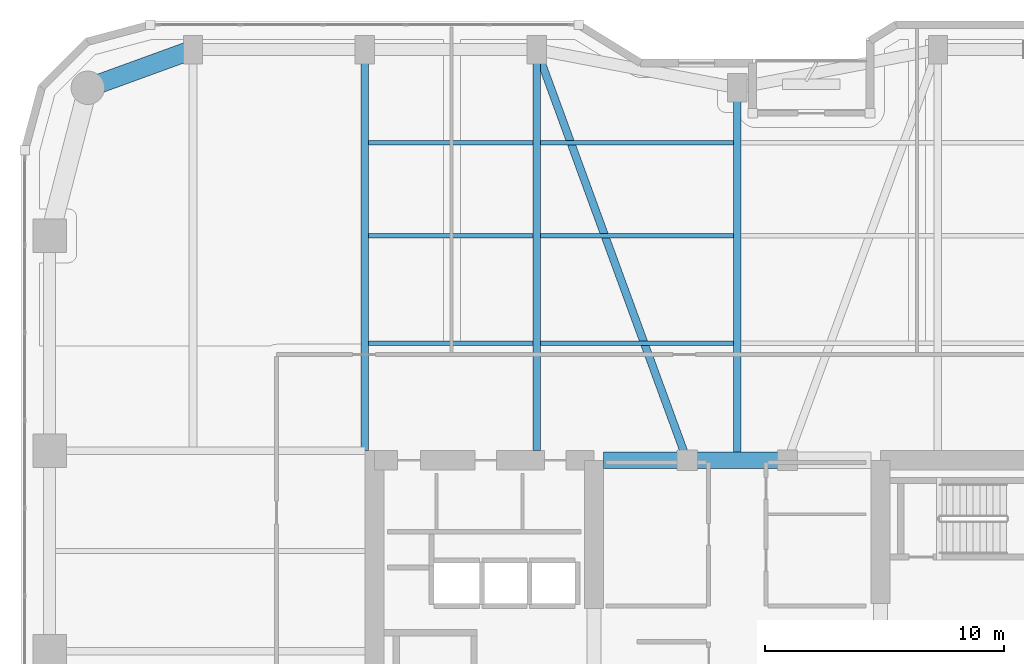
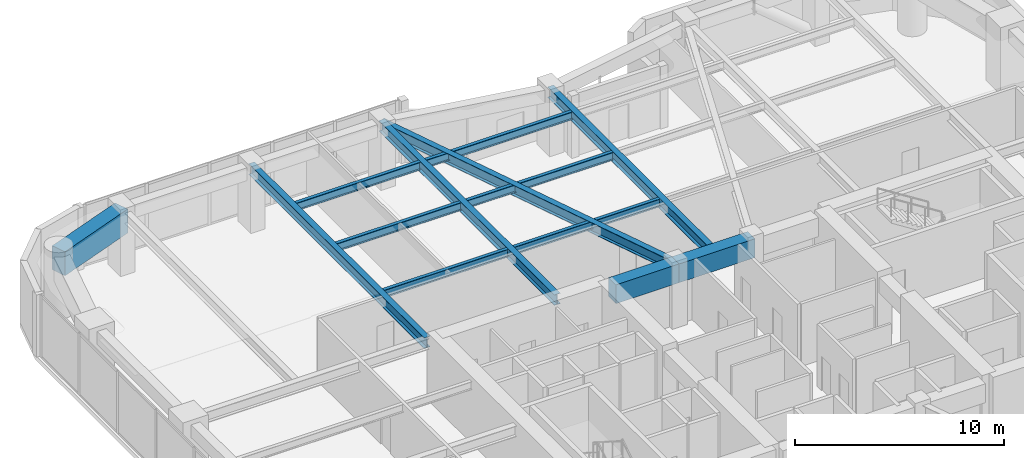
# One storey, part 12 of 24: 13 beams.
"""IFC4 building model written with IfcOpenShell, lengths in metres."""

from ifc_helpers import new_model, si_unit, direction, frame, origin, origin_2d, place, context, subcontext, project, spatial, rectangle, i_section, extrude, material, material_profile, profile_set, type_object, element, save


model = new_model("IFC4")

# Units and contexts
model_context = context("Model", 3, precision=1e-05, world=origin(), true_north=direction((0.0, 1.0)))
body_context = subcontext(model_context, "Body", "Model", "MODEL_VIEW")
ifc_project = project(units=[si_unit("LENGTHUNIT", "METRE"), si_unit("AREAUNIT", "SQUARE_METRE"), si_unit("VOLUMEUNIT", "CUBIC_METRE"), si_unit("PLANEANGLEUNIT", "RADIAN"), si_unit("MASSUNIT", "GRAM", prefix="KILO")], contexts=[model_context])

# Site, building, storey
site_placement = place(None, origin())
site = spatial("IfcSite", under=ifc_project, at=site_placement, CompositionType="ELEMENT")
building_placement = place(site_placement, origin())
building = spatial("IfcBuilding", under=site, at=building_placement, Name="Kiyonajd Concourse Tower", CompositionType="ELEMENT")
storey_placement = place(building_placement, frame((0.0, 0.0, 109.199951171875)))
storey = spatial("IfcBuildingStorey", under=building, at=storey_placement, Name="L28", CompositionType="ELEMENT", Elevation=109.199951171875)

# Beams
ifc_material_1 = material(Name="Concrete C70/85", Category="concrete")
ifc_material_profile_1 = material_profile(ifc_material_1, rectangle(XDim=0.699951171875, YDim=1.10009765625, at=origin_2d()), Name="RCBM-700x1100")
ifc_profile_set_1 = profile_set([ifc_material_profile_1], Name="Concrete C70/85")
beam_type_1 = type_object("IfcBeamType", Name="BM-COUP-1100", PredefinedType="LINTEL", material=ifc_profile_set_1)
beam_1_placement = place(storey_placement, frame((42.39990234375, 44.0, 3.090087890625), z_axis=(1.0, 0.0, 0.0), x_axis=(0.0, 1.0, 0.0)))
element("IfcBeam", 1, at=beam_1_placement, inside=storey, type_object=beam_type_1, Name="L28 Core Coupling Beam N1", PredefinedType="LINTEL", context=body_context, shape_type="SweptSolid", body=[
    extrude(rectangle(XDim=0.699951171875, YDim=1.10009765625, at=origin_2d()), origin(), (0.0, 0.0, 1.0), 3.5),
])
beam_2_placement = place(storey_placement, frame((45.89990234375, 44.0, 3.090087890625), z_axis=(1.0, 0.0, 0.0), x_axis=(0.0, 1.0, 0.0)))
element("IfcBeam", 2, at=beam_2_placement, inside=storey, type_object=beam_type_1, Name="L28 Core Coupling Beam N2", PredefinedType="LINTEL", context=body_context, shape_type="SweptSolid", body=[
    extrude(rectangle(XDim=0.699951171875, YDim=1.10009765625, at=origin_2d()), origin(), (0.0, 0.0, 1.0), 4.2001953125),
])
ifc_material_2 = material(Name="Steel ASTM A992 Grade 50", Category="steel")
ifc_material_profile_2 = material_profile(ifc_material_2, i_section(OverallWidth=0.19189453125, OverallDepth=0.462890625, WebThickness=0.010498046875, FlangeThickness=0.017578125, at=origin_2d()), Name="W460X89")
ifc_profile_set_2 = profile_set([ifc_material_profile_2], Name="Steel ASTM A992 Grade 50")
beam_type_2 = type_object("IfcBeamType", Name="BM-JST-460B", PredefinedType="JOIST", material=ifc_profile_set_2)
beam_3_placement = place(storey_placement, frame((32.5634765625, 48.89990234375, 3.408447265625), z_axis=(1.0, 0.0, 0.0), x_axis=(0.0, 1.0, 0.0)))
element("IfcBeam", 3, at=beam_3_placement, inside=storey, type_object=beam_type_2, Name="L28 Secondary Floor Joist", PredefinedType="JOIST", context=body_context, shape_type="SweptSolid", body=[
    extrude(i_section(OverallWidth=0.19189453125, OverallDepth=0.462890625, WebThickness=0.010498046875, FlangeThickness=0.017578125, at=origin_2d()), origin(), (0.0, 0.0, 1.0), 6.873046875),
])
beam_4_placement = place(storey_placement, frame((39.763427734375, 48.89990234375, 3.408447265625), z_axis=(1.0, 0.0, 0.0), x_axis=(0.0, 1.0, 0.0)))
element("IfcBeam", 4, at=beam_4_placement, inside=storey, type_object=beam_type_2, Name="L28 Secondary Floor Joist", PredefinedType="JOIST", context=body_context, shape_type="SweptSolid", body=[
    extrude(i_section(OverallWidth=0.19189453125, OverallDepth=0.462890625, WebThickness=0.010498046875, FlangeThickness=0.017578125, at=origin_2d()), origin(), (0.0, 0.0, 1.0), 8.072998046875),
])
beam_5_placement = place(storey_placement, frame((32.5634765625, 53.39990234375, 3.408447265625), z_axis=(1.0, 0.0, 0.0), x_axis=(0.0, 1.0, 0.0)))
element("IfcBeam", 5, at=beam_5_placement, inside=storey, type_object=beam_type_2, Name="L28 Secondary Floor Joist", PredefinedType="JOIST", context=body_context, shape_type="SweptSolid", body=[
    extrude(i_section(OverallWidth=0.19189453125, OverallDepth=0.462890625, WebThickness=0.010498046875, FlangeThickness=0.017578125, at=origin_2d()), origin(), (0.0, 0.0, 1.0), 6.873046875),
])
beam_6_placement = place(storey_placement, frame((39.763427734375, 53.39990234375, 3.408447265625), z_axis=(1.0, 0.0, 0.0), x_axis=(0.0, 1.0, 0.0)))
element("IfcBeam", 6, at=beam_6_placement, inside=storey, type_object=beam_type_2, Name="L28 Secondary Floor Joist", PredefinedType="JOIST", context=body_context, shape_type="SweptSolid", body=[
    extrude(i_section(OverallWidth=0.19189453125, OverallDepth=0.462890625, WebThickness=0.010498046875, FlangeThickness=0.017578125, at=origin_2d()), origin(), (0.0, 0.0, 1.0), 8.072998046875),
])
beam_7_placement = place(storey_placement, frame((32.5634765625, 57.300048828125, 3.408447265625), z_axis=(1.0, 0.0, 0.0), x_axis=(0.0, 1.0, 0.0)))
element("IfcBeam", 7, at=beam_7_placement, inside=storey, type_object=beam_type_2, Name="L28 Secondary Floor Joist", PredefinedType="JOIST", context=body_context, shape_type="SweptSolid", body=[
    extrude(i_section(OverallWidth=0.19189453125, OverallDepth=0.462890625, WebThickness=0.010498046875, FlangeThickness=0.017578125, at=origin_2d()), origin(), (0.0, 0.0, 1.0), 6.873046875),
])
beam_8_placement = place(storey_placement, frame((39.763427734375, 57.300048828125, 3.408447265625), z_axis=(1.0, 0.0, 0.0), x_axis=(0.0, 1.0, 0.0)))
element("IfcBeam", 8, at=beam_8_placement, inside=storey, type_object=beam_type_2, Name="L28 Secondary Floor Joist", PredefinedType="JOIST", context=body_context, shape_type="SweptSolid", body=[
    extrude(i_section(OverallWidth=0.19189453125, OverallDepth=0.462890625, WebThickness=0.010498046875, FlangeThickness=0.017578125, at=origin_2d()), origin(), (0.0, 0.0, 1.0), 8.072998046875),
])
ifc_material_profile_3 = material_profile(ifc_material_2, i_section(OverallWidth=0.326904296875, OverallDepth=0.6220703125, WebThickness=0.015380859375, FlangeThickness=0.0244140625, at=origin_2d()), Name="W610X195")
ifc_profile_set_3 = profile_set([ifc_material_profile_3], Name="Steel ASTM A992 Grade 50")
beam_type_3 = type_object("IfcBeamType", Name="BM-TWR-610A", PredefinedType="BEAM", material=ifc_profile_set_3)
beam_9_placement = place(storey_placement, frame((39.60009765625, 61.199951171875, 3.3291015625), z_axis=(0.343925269715, -0.938997022813, 0.0), x_axis=(0.938997022813, 0.343925269715, 0.0)))
element("IfcBeam", 9, at=beam_9_placement, inside=storey, type_object=beam_type_3, Name="L28 Core Tie Girder", PredefinedType="BEAM", context=body_context, shape_type="SweptSolid", body=[
    extrude(i_section(OverallWidth=0.326904296875, OverallDepth=0.6220703125, WebThickness=0.015380859375, FlangeThickness=0.0244140625, at=origin_2d()), origin(), (0.0, 0.0, 1.0), 18.3173828125),
])
for number, where, z_axis, x_axis, name in (
    (10, (32.39990234375, 44.39990234375, 3.3291015625), (0.0, 1.0, 0.0), (-1.0, 0.0, 0.0), "L28 North Lease Girder"),
    (11, (39.60009765625, 44.39990234375, 3.3291015625), (0.0, 1.0, 0.0), (-1.0, 0.0, 0.0), "L28 North Lease Girder"),
):
    element("IfcBeam", number, at=place(storey_placement, frame(where, z_axis=z_axis, x_axis=x_axis)), inside=storey, type_object=beam_type_3, Name=name, PredefinedType="BEAM", context=body_context, shape_type="SweptSolid", body=[
        extrude(i_section(OverallWidth=0.326904296875, OverallDepth=0.6220703125, WebThickness=0.015380859375, FlangeThickness=0.0244140625, at=origin_2d()), origin(), (0.0, 0.0, 1.0), 16.800048828125),
    ])
beam_10_placement = place(storey_placement, frame((48.0, 44.0, 3.3291015625), z_axis=(0.0, 1.0, 0.0), x_axis=(-1.0, 0.0, 0.0)))
element("IfcBeam", 12, at=beam_10_placement, inside=storey, type_object=beam_type_3, Name="L28 North Ribbon Girder", PredefinedType="BEAM", context=body_context, shape_type="SweptSolid", body=[
    extrude(i_section(OverallWidth=0.326904296875, OverallDepth=0.6220703125, WebThickness=0.015380859375, FlangeThickness=0.0244140625, at=origin_2d()), origin(), (0.0, 0.0, 1.0), 15.60009765625),
])
ifc_material_3 = material(Name="Concrete C60/75", Category="concrete")
ifc_material_profile_4 = material_profile(ifc_material_3, rectangle(XDim=0.800048828125, YDim=1.39990234375, at=origin_2d()), Name="RCBM-800x1400")
ifc_profile_set_4 = profile_set([ifc_material_profile_4], Name="Concrete C60/75")
beam_type_4 = type_object("IfcBeamType", Name="BM-XFER-RC", PredefinedType="BEAM", material=ifc_profile_set_4)
beam_11_placement = place(storey_placement, frame((25.199951171875, 61.199951171875, 2.93994140625), z_axis=(-0.939801036019, -0.341722127901, 0.0), x_axis=(0.341722127901, -0.939801036019, 0.0)))
element("IfcBeam", 13, at=beam_11_placement, inside=storey, type_object=beam_type_4, Name="L28 Perimeter Bundled Tube Spandrel", PredefinedType="BEAM", context=body_context, shape_type="SweptSolid", body=[
    extrude(rectangle(XDim=0.800048828125, YDim=1.39990234375, at=origin_2d()), origin(), (0.0, 0.0, 1.0), 4.681640625),
])

save(model, "model.ifc")
